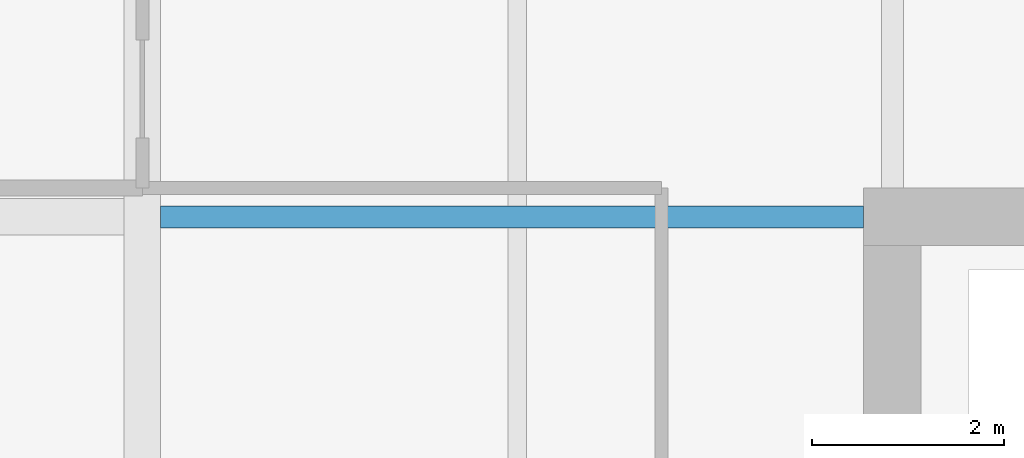
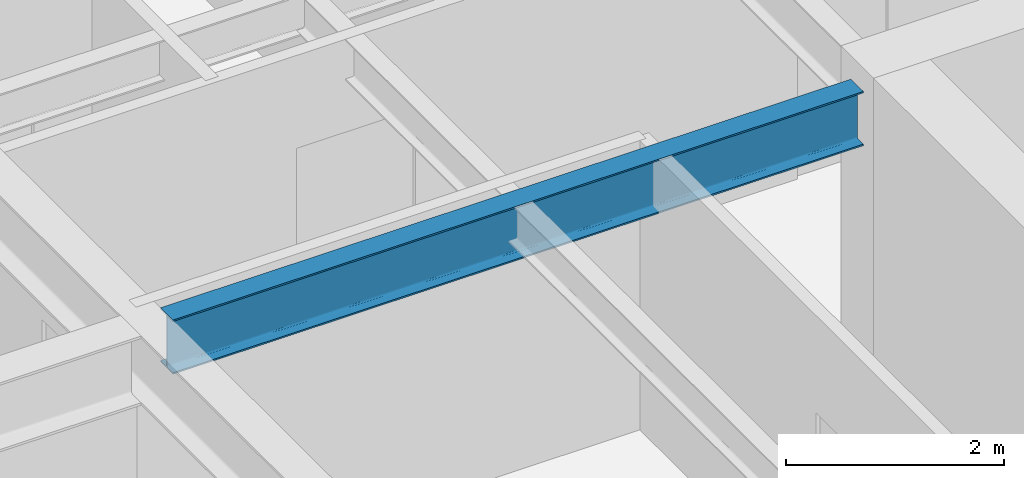
# One storey, part 18 of 38: 1 beam.
"""IFC4 building model written with IfcOpenShell, lengths in metres."""

from ifc_helpers import new_model, si_unit, direction, frame, origin, origin_2d, place, context, subcontext, project, spatial, i_section, extrude, material, material_profile, profile_set, type_object, element, save


model = new_model("IFC4")

# Units and contexts
model_context = context("Model", 3, precision=1e-05, world=origin(), true_north=direction((0.0, 1.0)))
body_context = subcontext(model_context, "Body", "Model", "MODEL_VIEW")
ifc_project = project(units=[si_unit("LENGTHUNIT", "METRE"), si_unit("AREAUNIT", "SQUARE_METRE"), si_unit("VOLUMEUNIT", "CUBIC_METRE"), si_unit("PLANEANGLEUNIT", "RADIAN"), si_unit("MASSUNIT", "GRAM", prefix="KILO")], contexts=[model_context])

# Site, building, storey
site_placement = place(None, origin())
site = spatial("IfcSite", under=ifc_project, at=site_placement, CompositionType="ELEMENT")
building_placement = place(site_placement, origin())
building = spatial("IfcBuilding", under=site, at=building_placement, Name="Drelvath Grand Hotel", CompositionType="ELEMENT")
storey_placement = place(building_placement, frame((0.0, 0.0, 64.699951171875)))
storey = spatial("IfcBuildingStorey", under=building, at=storey_placement, Name="L15", CompositionType="ELEMENT", Elevation=64.699951171875)

# Beam
ifc_material = material(Name="Steel ASTM A992 Gr 50", Category="steel")
ifc_material_profile = material_profile(ifc_material, i_section(OverallWidth=0.228271484375, OverallDepth=0.607666015625, WebThickness=0.01123046875, FlangeThickness=0.017333984375, FilletRadius=0.02001953125, at=origin_2d()), Name="W24X76")
ifc_profile_set = profile_set([ifc_material_profile], Name="Steel ASTM A992 Gr 50")
beam_type = type_object("IfcBeamType", Name="Primary Floor Girder W24X76", PredefinedType="BEAM", material=ifc_profile_set)
beam_placement = place(storey_placement, frame((-16.009765625, 35.39990234375, 2.936279296875), z_axis=(1.0, 0.0, 0.0), x_axis=(0.0, 1.0, 0.0)))
element("IfcBeam", 1, at=beam_placement, inside=storey, type_object=beam_type, Name="L15 West Core Tie F", PredefinedType="BEAM", context=body_context, shape_type="SweptSolid", body=[
    extrude(i_section(OverallWidth=0.228271484375, OverallDepth=0.607666015625, WebThickness=0.01123046875, FlangeThickness=0.017333984375, FilletRadius=0.02001953125, at=origin_2d()), origin(), (0.0, 0.0, 1.0), 7.309814453125),
])

save(model, "model.ifc")
